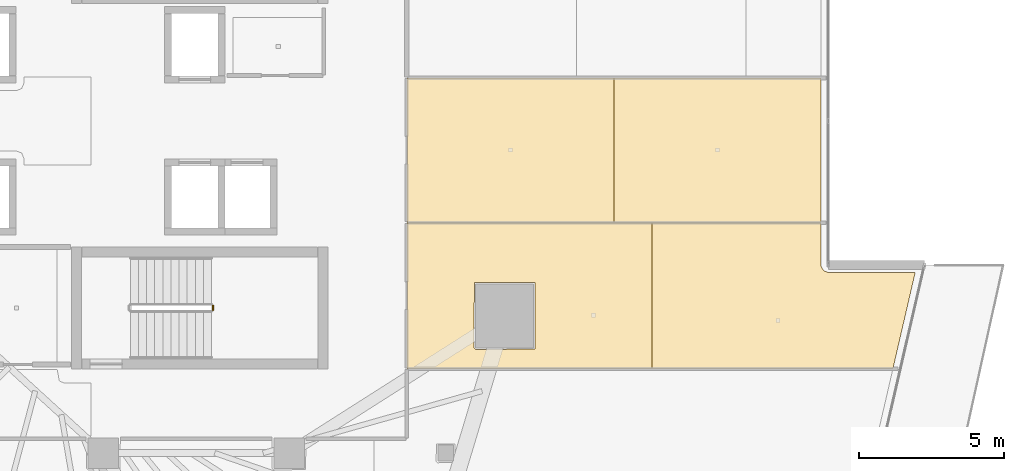
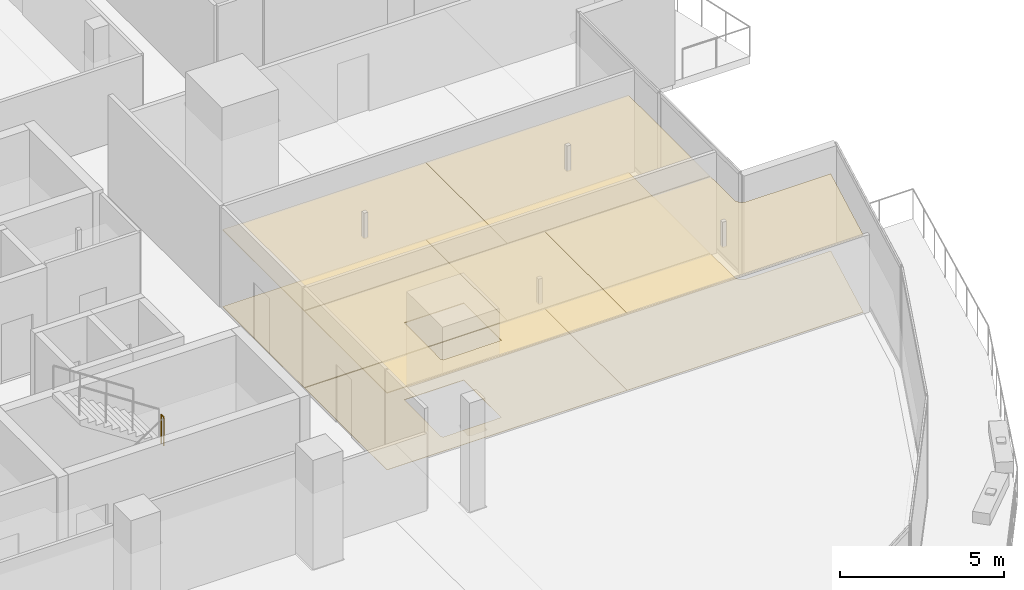
# One storey, part 39 of 42: 8 coverings, 1 railing.
"""IFC4 building model written with IfcOpenShell, lengths in metres."""

from ifc_helpers import new_model, si_unit, direction, frame, origin, origin_2d, place, context, subcontext, project, spatial, polyline, circle, outline, extrude, material, layer, layer_set, type_object, element, save


model = new_model("IFC4")

# Units and contexts
model_context = context("Model", 3, precision=1e-05, world=origin(), true_north=direction((0.0, 1.0)))
body_context = subcontext(model_context, "Body", "Model", "MODEL_VIEW")
ifc_project = project(units=[si_unit("LENGTHUNIT", "METRE"), si_unit("AREAUNIT", "SQUARE_METRE"), si_unit("VOLUMEUNIT", "CUBIC_METRE"), si_unit("PLANEANGLEUNIT", "RADIAN"), si_unit("MASSUNIT", "GRAM", prefix="KILO")], contexts=[model_context])

# Site, building, storey
site_placement = place(None, origin())
site = spatial("IfcSite", under=ifc_project, at=site_placement, CompositionType="ELEMENT")
building_placement = place(site_placement, origin())
building = spatial("IfcBuilding", under=site, at=building_placement, Name="Qorvath Tower", CompositionType="ELEMENT")
storey_placement = place(building_placement, frame((0.0, 0.0, 121.949951171875)))
storey = spatial("IfcBuildingStorey", under=building, at=storey_placement, Name="L27", CompositionType="ELEMENT", Elevation=121.949951171875)

# Coverings
ifc_material_1 = material(Name="Acoustic mineral fibre ceiling tile", Category="gypsum")
ifc_layer_1 = layer(ifc_material_1, 0.030029296875)
ifc_layer_set_1 = layer_set([ifc_layer_1], Name="COV-CEIL")
covering_type_1 = type_object("IfcCoveringType", Name="COV-CEIL", PredefinedType="CEILING", material=ifc_layer_set_1)
covering_1_placement = place(storey_placement, frame((0.0, 0.0, 2.85009765625)))
element("IfcCovering", 1, at=covering_1_placement, inside=storey, type_object=covering_type_1, Name="L27 Suspended Acoustic Ceiling 027", PredefinedType="CEILING", context=body_context, shape_type="SweptSolid", body=[
    extrude(outline(polyline([(-4.697509765625, -8.537109375), (-4.697509765625, -3.515869140625), (-13.136962890625, -3.515869140625), (-13.136962890625, -8.537109375), (-4.697509765625, -8.537109375)]), holes=[polyline([(-10.830322265625, -7.8212890625), (-10.812744140625, -5.578857421875), (-8.727783203125, -5.578857421875), (-8.727783203125, -7.86376953125), (-10.770263671875, -7.88134765625), (-10.830322265625, -7.8212890625)])]), origin(), (0.0, 0.0, 1.0), 0.030029296875),
])
covering_2_placement = place(storey_placement, frame((0.0, 0.0, 2.85009765625)))
element("IfcCovering", 2, at=covering_2_placement, inside=storey, type_object=covering_type_1, Name="L27 Suspended Acoustic Ceiling 028", PredefinedType="CEILING", context=body_context, shape_type="SweptSolid", body=[
    extrude(outline(polyline([(1.22412109375, -5.163818359375), (1.13671875, -5.016845703125), (1.1318359375, -3.515869140625), (-4.697509765625, -3.515869140625), (-4.697509765625, -8.537109375), (3.612060546875, -8.537109375), (4.378173828125, -5.222900390625), (1.3623046875, -5.2216796875), (1.22412109375, -5.163818359375)])), origin(), (0.0, 0.0, 1.0), 0.030029296875),
])
covering_3_placement = place(storey_placement, frame((0.0, 0.0, 2.85009765625)))
element("IfcCovering", 3, at=covering_3_placement, inside=storey, type_object=covering_type_1, Name="L27 Suspended Acoustic Ceiling 029", PredefinedType="CEILING", context=body_context, shape_type="SweptSolid", body=[
    extrude(outline(polyline([(-13.136962890625, -3.497802734375), (-6.00244140625, -3.497802734375), (-6.00244140625, 1.47265625), (-13.136962890625, 1.47265625), (-13.136962890625, -3.497802734375)])), origin(), (0.0, 0.0, 1.0), 0.030029296875),
])
covering_4_placement = place(storey_placement, frame((0.0, 0.0, 2.85009765625)))
element("IfcCovering", 4, at=covering_4_placement, inside=storey, type_object=covering_type_1, Name="L27 Suspended Acoustic Ceiling 030", PredefinedType="CEILING", context=body_context, shape_type="SweptSolid", body=[
    extrude(outline(polyline([(-6.00244140625, 1.47265625), (-6.00244140625, -3.497802734375), (1.1318359375, -3.497802734375), (1.1318359375, 1.47265625), (-6.00244140625, 1.47265625)])), origin(), (0.0, 0.0, 1.0), 0.030029296875),
])
ifc_material_2 = material(Name="Low-VOC modular carpet tile", Category="textile")
ifc_layer_2 = layer(ifc_material_2, 0.014892578125)
ifc_layer_set_2 = layer_set([ifc_layer_2], Name="COV-FLOOR-CPT")
covering_type_2 = type_object("IfcCoveringType", Name="COV-FLOOR-CPT", PredefinedType="FLOORING", material=ifc_layer_set_2)
covering_5_placement = place(storey_placement, origin())
element("IfcCovering", 5, at=covering_5_placement, inside=storey, type_object=covering_type_2, Name="L27 Floor Finish 027", PredefinedType="FLOORING", context=body_context, shape_type="SweptSolid", body=[
    extrude(outline(polyline([(-4.697509765625, -8.537109375), (-4.697509765625, -3.515869140625), (-13.136962890625, -3.515869140625), (-13.136962890625, -8.537109375), (-4.697509765625, -8.537109375)]), holes=[polyline([(-10.830322265625, -7.8212890625), (-10.812744140625, -5.578857421875), (-8.727783203125, -5.578857421875), (-8.727783203125, -7.86376953125), (-10.770263671875, -7.88134765625), (-10.830322265625, -7.8212890625)])]), origin(), (0.0, 0.0, 1.0), 0.01513671875),
])
covering_6_placement = place(storey_placement, origin())
element("IfcCovering", 6, at=covering_6_placement, inside=storey, type_object=covering_type_2, Name="L27 Floor Finish 028", PredefinedType="FLOORING", context=body_context, shape_type="SweptSolid", body=[
    extrude(outline(polyline([(1.22412109375, -5.163818359375), (1.13671875, -5.016845703125), (1.1318359375, -3.515869140625), (-4.697509765625, -3.515869140625), (-4.697509765625, -8.537109375), (3.612060546875, -8.537109375), (4.378173828125, -5.222900390625), (1.3623046875, -5.2216796875), (1.22412109375, -5.163818359375)])), origin(), (0.0, 0.0, 1.0), 0.01513671875),
])
covering_7_placement = place(storey_placement, origin())
element("IfcCovering", 7, at=covering_7_placement, inside=storey, type_object=covering_type_2, Name="L27 Floor Finish 029", PredefinedType="FLOORING", context=body_context, shape_type="SweptSolid", body=[
    extrude(outline(polyline([(-13.136962890625, -3.497802734375), (-6.00244140625, -3.497802734375), (-6.00244140625, 1.47265625), (-13.136962890625, 1.47265625), (-13.136962890625, -3.497802734375)])), origin(), (0.0, 0.0, 1.0), 0.01513671875),
])
covering_8_placement = place(storey_placement, origin())
element("IfcCovering", 8, at=covering_8_placement, inside=storey, type_object=covering_type_2, Name="L27 Floor Finish 030", PredefinedType="FLOORING", context=body_context, shape_type="SweptSolid", body=[
    extrude(outline(polyline([(-6.00244140625, 1.47265625), (-6.00244140625, -3.497802734375), (1.1318359375, -3.497802734375), (1.1318359375, 1.47265625), (-6.00244140625, 1.47265625)])), origin(), (0.0, 0.0, 1.0), 0.01513671875),
])

# Railing
ifc_material_3 = material(Name="Painted galvanised steel", Category="steel")
railing_type = type_object("IfcRailingType", Name="RL-STR-GRD", PredefinedType="GUARDRAIL", material=ifc_material_3)
railing_placement = place(storey_placement, frame((-19.820068359375, -6.52001953125, 2.025146484375)))
element("IfcRailing", 9, at=railing_placement, inside=storey, type_object=railing_type, Name="L27 TS2 stair guard 2", PredefinedType="GUARDRAIL", context=body_context, shape_type="SweptSolid", body=[
    extrude(circle(Radius=0.02392578125, at=origin_2d()), frame((0.0, 0.0, 1.076171875), z_axis=(0.0, 1.0, 0.0), x_axis=(-1.0, 0.0, 0.0)), (0.0, 0.0, 1.0), 0.14990234375),
    extrude(circle(Radius=0.02099609375, at=origin_2d()), origin(), (0.0, 0.0, 1.0), 1.052001953125),
    extrude(circle(Radius=0.02099609375, at=origin_2d()), frame((0.0, 0.14990234375, 0.0)), (0.0, 0.0, 1.0), 1.052001953125),
])

save(model, "model.ifc")
